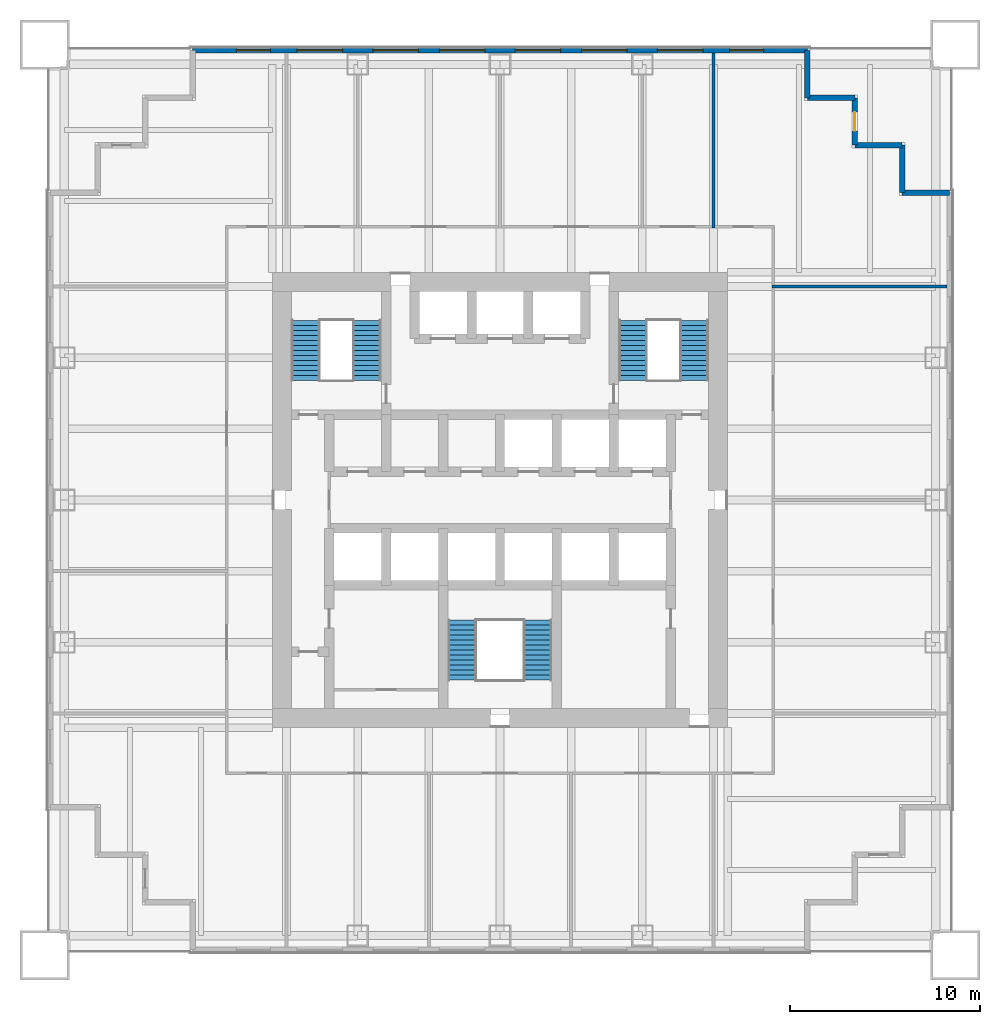
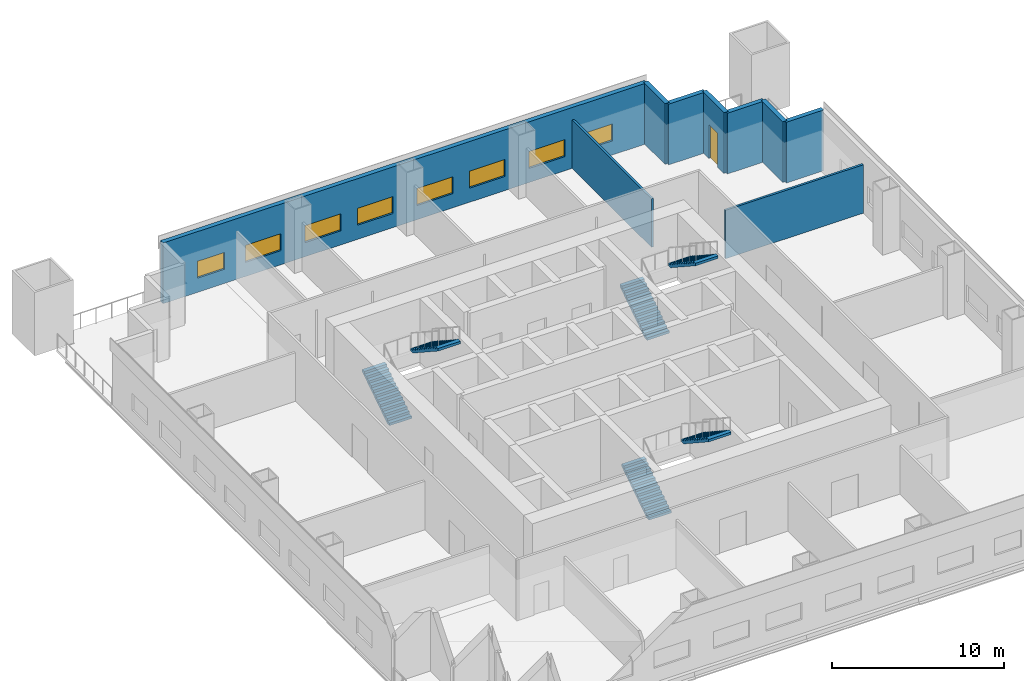
# One storey, part 5 of 6: 9 walls, 8 windows, 6 stair flights, 1 door, 9 openings, 3 elements without a shape of their own.
"""IFC4 building model written with IfcOpenShell, lengths in metres."""

from ifc_helpers import new_model, si_unit, direction, frame, frame_2d, origin, place, context, subcontext, project, spatial, polyline, rectangle, outline, extrude, material, layer, layer_set, type_object, element, fill, aggregate, save


model = new_model("IFC4")

# Units and contexts
model_context = context("Model", 3, precision=1e-05, world=origin(), true_north=direction((0.0, 1.0)))
body_context = subcontext(model_context, "Body", "Model", "MODEL_VIEW")
ifc_project = project(units=[si_unit("LENGTHUNIT", "METRE"), si_unit("AREAUNIT", "SQUARE_METRE"), si_unit("VOLUMEUNIT", "CUBIC_METRE"), si_unit("PLANEANGLEUNIT", "RADIAN"), si_unit("MASSUNIT", "GRAM", prefix="KILO")], contexts=[model_context])

# Site, building, storey
site_placement = place(None, origin())
site = spatial("IfcSite", under=ifc_project, at=site_placement, CompositionType="ELEMENT")
building_placement = place(site_placement, origin())
building = spatial("IfcBuilding", under=site, at=building_placement, Name="Tarangal Relay Tower", CompositionType="ELEMENT")
storey_placement = place(building_placement, frame((0.0, 0.0, 108.89990234375)))
storey = spatial("IfcBuildingStorey", under=building, at=storey_placement, Name="L21", CompositionType="ELEMENT", Elevation=108.89990234375)

# Wall, openings, windows
ifc_material_1 = material(Name="Insulated precast concrete fc' 40 MPa", Category="concrete")
ifc_layer_1 = layer(ifc_material_1, 0.300048828125)
ifc_layer_set_1 = layer_set([ifc_layer_1], Name="Insulated precast concrete fc' 40 MPa")
wall_type_1 = type_object("IfcWallType", Name="Facade wall precast 300", PredefinedType="SOLIDWALL", material=ifc_layer_set_1)
wall_1_placement = place(storey_placement, frame((-16.199951171875, 23.699951171875, 0.0), z_axis=(0.0, 0.0, 1.0), x_axis=(1.0, 0.0, 0.0)))
wall_1 = element("IfcWall", 1, at=wall_1_placement, inside=storey, type_object=wall_type_1, Name="Facade wall N facade L21", PredefinedType="SOLIDWALL", context=body_context, shape_type="SweptSolid", body=[
    extrude(rectangle(XDim=32.39990234375, YDim=0.300048828125, at=frame_2d((16.199951171875, 0.0))), origin(), (0.0, 0.0, 1.0), 4.300048828125),
])
opening_1_placement = place(wall_1_placement, frame((2.300048828125, 0.0, 1.0)))
opening_1 = element("IfcOpeningElement", 2, at=opening_1_placement, cuts=wall_1, Name="Opening WN5", PredefinedType="OPENING", context=body_context, shape_type="SweptSolid", body=[
    extrude(rectangle(XDim=1.800048828125, YDim=1.199951171875, at=frame_2d((0.89990234375, 0.60009765625))), frame((0.0, 0.159912109375, 0.0), z_axis=(0.0, -1.0, 0.0), x_axis=(1.0, 0.0, 0.0)), (0.0, 0.0, 1.0), 0.320068359375),
])
opening_2_placement = place(wall_1_placement, frame((5.5, 0.0, 1.0)))
opening_2 = element("IfcOpeningElement", 3, at=opening_2_placement, cuts=wall_1, Name="Opening WN1", PredefinedType="OPENING", context=body_context, shape_type="SweptSolid", body=[
    extrude(rectangle(XDim=2.39990234375, YDim=1.199951171875, at=frame_2d((1.199951171875, 0.60009765625))), frame((0.0, 0.159912109375, 0.0), z_axis=(0.0, -1.0, 0.0), x_axis=(1.0, 0.0, 0.0)), (0.0, 0.0, 1.0), 0.320068359375),
])
opening_3_placement = place(wall_1_placement, frame((9.5, 0.0, 1.0)))
opening_3 = element("IfcOpeningElement", 4, at=opening_3_placement, cuts=wall_1, Name="Opening WN1", PredefinedType="OPENING", context=body_context, shape_type="SweptSolid", body=[
    extrude(rectangle(XDim=2.39990234375, YDim=1.199951171875, at=frame_2d((1.199951171875, 0.60009765625))), frame((0.0, 0.159912109375, 0.0), z_axis=(0.0, -1.0, 0.0), x_axis=(1.0, 0.0, 0.0)), (0.0, 0.0, 1.0), 0.320068359375),
])
opening_4_placement = place(wall_1_placement, frame((13.0, 0.0, 1.0)))
opening_4 = element("IfcOpeningElement", 5, at=opening_4_placement, cuts=wall_1, Name="Opening WN1", PredefinedType="OPENING", context=body_context, shape_type="SweptSolid", body=[
    extrude(rectangle(XDim=2.39990234375, YDim=1.199951171875, at=frame_2d((1.199951171875, 0.60009765625))), frame((0.0, 0.159912109375, 0.0), z_axis=(0.0, -1.0, 0.0), x_axis=(1.0, 0.0, 0.0)), (0.0, 0.0, 1.0), 0.320068359375),
])
opening_5_placement = place(wall_1_placement, frame((17.0, 0.0, 1.0)))
opening_5 = element("IfcOpeningElement", 6, at=opening_5_placement, cuts=wall_1, Name="Opening WN1", PredefinedType="OPENING", context=body_context, shape_type="SweptSolid", body=[
    extrude(rectangle(XDim=2.39990234375, YDim=1.199951171875, at=frame_2d((1.199951171875, 0.60009765625))), frame((0.0, 0.159912109375, 0.0), z_axis=(0.0, -1.0, 0.0), x_axis=(1.0, 0.0, 0.0)), (0.0, 0.0, 1.0), 0.320068359375),
])
opening_6_placement = place(wall_1_placement, frame((20.5, 0.0, 1.0)))
opening_6 = element("IfcOpeningElement", 7, at=opening_6_placement, cuts=wall_1, Name="Opening WN1", PredefinedType="OPENING", context=body_context, shape_type="SweptSolid", body=[
    extrude(rectangle(XDim=2.39990234375, YDim=1.199951171875, at=frame_2d((1.199951171875, 0.60009765625))), frame((0.0, 0.159912109375, 0.0), z_axis=(0.0, -1.0, 0.0), x_axis=(1.0, 0.0, 0.0)), (0.0, 0.0, 1.0), 0.320068359375),
])
opening_7_placement = place(wall_1_placement, frame((24.5, 0.0, 1.0)))
opening_7 = element("IfcOpeningElement", 8, at=opening_7_placement, cuts=wall_1, Name="Opening WN1", PredefinedType="OPENING", context=body_context, shape_type="SweptSolid", body=[
    extrude(rectangle(XDim=2.39990234375, YDim=1.199951171875, at=frame_2d((1.199951171875, 0.60009765625))), frame((0.0, 0.159912109375, 0.0), z_axis=(0.0, -1.0, 0.0), x_axis=(1.0, 0.0, 0.0)), (0.0, 0.0, 1.0), 0.320068359375),
])
opening_8_placement = place(wall_1_placement, frame((28.300048828125, 0.0, 1.0)))
opening_8 = element("IfcOpeningElement", 9, at=opening_8_placement, cuts=wall_1, Name="Opening WN5", PredefinedType="OPENING", context=body_context, shape_type="SweptSolid", body=[
    extrude(rectangle(XDim=1.800048828125, YDim=1.199951171875, at=frame_2d((0.89990234375, 0.60009765625))), frame((0.0, 0.159912109375, 0.0), z_axis=(0.0, -1.0, 0.0), x_axis=(1.0, 0.0, 0.0)), (0.0, 0.0, 1.0), 0.320068359375),
])
ifc_material_2 = material(Name="Dark tinted double glazing in black aluminium frame", Category="aluminium")
window_type_1 = type_object("IfcWindowType", Name="Ribbon window 1800 x 1200", PartitioningType="SINGLE_PANEL", PredefinedType="WINDOW", material=ifc_material_2)
window_1_placement = place(opening_1_placement, origin())
window_1 = element("IfcWindow", 10, at=window_1_placement, inside=storey, type_object=window_type_1, Name="Ribbon window WN5 N facade L21", OverallHeight=1.199951171875, OverallWidth=1.800048828125, PartitioningType="SINGLE_PANEL", PredefinedType="WINDOW", context=body_context, shape_type="SweptSolid", body=[
    extrude(rectangle(XDim=1.800048828125, YDim=1.199951171875, at=frame_2d((0.89990234375, 0.60009765625))), frame((0.0, 0.030029296875, 0.0), z_axis=(0.0, -1.0, 0.0), x_axis=(1.0, 0.0, 0.0)), (0.0, 0.0, 1.0), 0.06005859375),
])
fill(opening_1, window_1)
window_2_placement = place(opening_8_placement, origin())
window_2 = element("IfcWindow", 11, at=window_2_placement, inside=storey, type_object=window_type_1, Name="Ribbon window WN5 N facade L21", OverallHeight=1.199951171875, OverallWidth=1.800048828125, PartitioningType="SINGLE_PANEL", PredefinedType="WINDOW", context=body_context, shape_type="SweptSolid", body=[
    extrude(rectangle(XDim=1.800048828125, YDim=1.199951171875, at=frame_2d((0.89990234375, 0.60009765625))), frame((0.0, 0.030029296875, 0.0), z_axis=(0.0, -1.0, 0.0), x_axis=(1.0, 0.0, 0.0)), (0.0, 0.0, 1.0), 0.06005859375),
])
fill(opening_8, window_2)
window_type_2 = type_object("IfcWindowType", Name="Ribbon window 2400 x 1200", PartitioningType="SINGLE_PANEL", PredefinedType="WINDOW", material=ifc_material_2)
window_3_placement = place(opening_2_placement, origin())
window_3 = element("IfcWindow", 12, at=window_3_placement, inside=storey, type_object=window_type_2, Name="Ribbon window WN1 N facade L21", OverallHeight=1.199951171875, OverallWidth=2.39990234375, PartitioningType="SINGLE_PANEL", PredefinedType="WINDOW", context=body_context, shape_type="SweptSolid", body=[
    extrude(rectangle(XDim=2.39990234375, YDim=1.199951171875, at=frame_2d((1.199951171875, 0.60009765625))), frame((0.0, 0.030029296875, 0.0), z_axis=(0.0, -1.0, 0.0), x_axis=(1.0, 0.0, 0.0)), (0.0, 0.0, 1.0), 0.06005859375),
])
fill(opening_2, window_3)
window_4_placement = place(opening_3_placement, origin())
window_4 = element("IfcWindow", 13, at=window_4_placement, inside=storey, type_object=window_type_2, Name="Ribbon window WN1 N facade L21", OverallHeight=1.199951171875, OverallWidth=2.39990234375, PartitioningType="SINGLE_PANEL", PredefinedType="WINDOW", context=body_context, shape_type="SweptSolid", body=[
    extrude(rectangle(XDim=2.39990234375, YDim=1.199951171875, at=frame_2d((1.199951171875, 0.60009765625))), frame((0.0, 0.030029296875, 0.0), z_axis=(0.0, -1.0, 0.0), x_axis=(1.0, 0.0, 0.0)), (0.0, 0.0, 1.0), 0.06005859375),
])
fill(opening_3, window_4)
window_5_placement = place(opening_4_placement, origin())
window_5 = element("IfcWindow", 14, at=window_5_placement, inside=storey, type_object=window_type_2, Name="Ribbon window WN1 N facade L21", OverallHeight=1.199951171875, OverallWidth=2.39990234375, PartitioningType="SINGLE_PANEL", PredefinedType="WINDOW", context=body_context, shape_type="SweptSolid", body=[
    extrude(rectangle(XDim=2.39990234375, YDim=1.199951171875, at=frame_2d((1.199951171875, 0.60009765625))), frame((0.0, 0.030029296875, 0.0), z_axis=(0.0, -1.0, 0.0), x_axis=(1.0, 0.0, 0.0)), (0.0, 0.0, 1.0), 0.06005859375),
])
fill(opening_4, window_5)
window_6_placement = place(opening_5_placement, origin())
window_6 = element("IfcWindow", 15, at=window_6_placement, inside=storey, type_object=window_type_2, Name="Ribbon window WN1 N facade L21", OverallHeight=1.199951171875, OverallWidth=2.39990234375, PartitioningType="SINGLE_PANEL", PredefinedType="WINDOW", context=body_context, shape_type="SweptSolid", body=[
    extrude(rectangle(XDim=2.39990234375, YDim=1.199951171875, at=frame_2d((1.199951171875, 0.60009765625))), frame((0.0, 0.030029296875, 0.0), z_axis=(0.0, -1.0, 0.0), x_axis=(1.0, 0.0, 0.0)), (0.0, 0.0, 1.0), 0.06005859375),
])
fill(opening_5, window_6)
window_7_placement = place(opening_6_placement, origin())
window_7 = element("IfcWindow", 16, at=window_7_placement, inside=storey, type_object=window_type_2, Name="Ribbon window WN1 N facade L21", OverallHeight=1.199951171875, OverallWidth=2.39990234375, PartitioningType="SINGLE_PANEL", PredefinedType="WINDOW", context=body_context, shape_type="SweptSolid", body=[
    extrude(rectangle(XDim=2.39990234375, YDim=1.199951171875, at=frame_2d((1.199951171875, 0.60009765625))), frame((0.0, 0.030029296875, 0.0), z_axis=(0.0, -1.0, 0.0), x_axis=(1.0, 0.0, 0.0)), (0.0, 0.0, 1.0), 0.06005859375),
])
fill(opening_6, window_7)
window_8_placement = place(opening_7_placement, origin())
window_8 = element("IfcWindow", 17, at=window_8_placement, inside=storey, type_object=window_type_2, Name="Ribbon window WN1 N facade L21", OverallHeight=1.199951171875, OverallWidth=2.39990234375, PartitioningType="SINGLE_PANEL", PredefinedType="WINDOW", context=body_context, shape_type="SweptSolid", body=[
    extrude(rectangle(XDim=2.39990234375, YDim=1.199951171875, at=frame_2d((1.199951171875, 0.60009765625))), frame((0.0, 0.030029296875, 0.0), z_axis=(0.0, -1.0, 0.0), x_axis=(1.0, 0.0, 0.0)), (0.0, 0.0, 1.0), 0.06005859375),
])
fill(opening_7, window_8)

# Walls
for number, where, z_axis, x_axis, name in (
    (18, (16.199951171875, 23.699951171875, 0.0), (0.0, 0.0, 1.0), (0.0, -1.0, 0.0), "Facade wall N facade L21"),
    (19, (16.199951171875, 21.199951171875, 0.0), (0.0, 0.0, 1.0), (1.0, 0.0, 0.0), "Facade wall N facade L21"),
):
    element("IfcWall", number, at=place(storey_placement, frame(where, z_axis=z_axis, x_axis=x_axis)), inside=storey, type_object=wall_type_1, Name=name, PredefinedType="SOLIDWALL", context=body_context, shape_type="SweptSolid", body=[
        extrude(rectangle(XDim=2.5, YDim=0.300048828125, at=frame_2d((1.25, 0.0))), origin(), (0.0, 0.0, 1.0), 4.300048828125),
    ])

# Wall, opening, door
wall_2_placement = place(storey_placement, frame((18.699951171875, 21.199951171875, 0.0), z_axis=(0.0, 0.0, 1.0), x_axis=(0.0, -1.0, 0.0)))
wall_2 = element("IfcWall", 20, at=wall_2_placement, inside=storey, type_object=wall_type_1, Name="Facade wall N facade L21", PredefinedType="SOLIDWALL", context=body_context, shape_type="SweptSolid", body=[
    extrude(rectangle(XDim=2.5, YDim=0.300048828125, at=frame_2d((1.25, 0.0))), origin(), (0.0, 0.0, 1.0), 4.300048828125),
])
opening_9_placement = place(wall_2_placement, frame((0.75, 0.0, 0.0)))
opening_9 = element("IfcOpeningElement", 21, at=opening_9_placement, cuts=wall_2, Name="Opening TD1", PredefinedType="OPENING", context=body_context, shape_type="SweptSolid", body=[
    extrude(rectangle(XDim=1.0, YDim=2.39990234375, at=frame_2d((0.5, 1.199951171875))), frame((0.0, 0.159912109375, 0.0), z_axis=(0.0, -1.0, 0.0), x_axis=(1.0, 0.0, 0.0)), (0.0, 0.0, 1.0), 0.320068359375),
])
ifc_material_3 = material(Name="Aluminium glazed door", Category="aluminium")
door_type = type_object("IfcDoorType", Name="Terrace door 1000 x 2400", OperationType="SINGLE_SWING_RIGHT", PredefinedType="DOOR", material=ifc_material_3)
door_placement = place(opening_9_placement, origin())
door = element("IfcDoor", 22, at=door_placement, inside=storey, type_object=door_type, Name="Terrace door TD1 NE L21", OperationType="SINGLE_SWING_RIGHT", OverallHeight=2.39990234375, OverallWidth=1.0, PredefinedType="DOOR", context=body_context, shape_type="SweptSolid", body=[
    extrude(rectangle(XDim=1.0, YDim=2.39990234375, at=frame_2d((0.5, 1.199951171875))), frame((0.0, 0.02490234375, 0.0), z_axis=(0.0, -1.0, 0.0), x_axis=(1.0, 0.0, 0.0)), (0.0, 0.0, 1.0), 0.050048828125),
])
fill(opening_9, door)

# Walls
for number, where, z_axis, x_axis, name in (
    (23, (18.699951171875, 18.699951171875, 0.0), (0.0, 0.0, 1.0), (1.0, 0.0, 0.0), "Facade wall N facade L21"),
    (24, (21.199951171875, 18.699951171875, 0.0), (0.0, 0.0, 1.0), (0.0, -1.0, 0.0), "Facade wall N facade L21"),
    (25, (21.199951171875, 16.199951171875, 0.0), (0.0, 0.0, 1.0), (1.0, 0.0, 0.0), "Facade wall N facade L21"),
):
    element("IfcWall", number, at=place(storey_placement, frame(where, z_axis=z_axis, x_axis=x_axis)), inside=storey, type_object=wall_type_1, Name=name, PredefinedType="SOLIDWALL", context=body_context, shape_type="SweptSolid", body=[
        extrude(rectangle(XDim=2.5, YDim=0.300048828125, at=frame_2d((1.25, 0.0))), origin(), (0.0, 0.0, 1.0), 4.300048828125),
    ])
ifc_material_4 = material(Name="Gypsum board on steel studs", Category="steel")
ifc_layer_2 = layer(ifc_material_4, 0.14990234375)
ifc_layer_set_2 = layer_set([ifc_layer_2], Name="Partition 150")
wall_type_2 = type_object("IfcWallType", Name="Partition 150", PredefinedType="PARTITIONING", material=ifc_layer_set_2)
for number, where, z_axis, x_axis, name in (
    (26, (14.324951171875, 11.25, 0.0), (0.0, 0.0, 1.0), (1.0, 0.0, 0.0), "Partition PT1 L21"),
    (27, (11.25, 14.324951171875, 0.0), (0.0, 0.0, 1.0), (0.0, 1.0, 0.0), "Partition PT1 L21"),
):
    element("IfcWall", number, at=place(storey_placement, frame(where, z_axis=z_axis, x_axis=x_axis)), inside=storey, type_object=wall_type_2, Name=name, PredefinedType="PARTITIONING", context=body_context, shape_type="SweptSolid", body=[
        extrude(rectangle(XDim=9.22509765625, YDim=0.14990234375, at=frame_2d((4.612548828125, 0.0))), origin(), (0.0, 0.0, 1.0), 3.431396484375),
    ])

# Stair, stair flights
ifc_material_5 = material(Name="Steel ASTM A992 stair flight", Category="steel")
stair_type = type_object("IfcStairType", Name="Core stair 1500", PredefinedType="HALF_TURN_STAIR", material=ifc_material_5)
stair_1_placement = place(storey_placement, origin())
stair_1 = element("IfcStair", 28, at=stair_1_placement, inside=storey, type_object=stair_type, Name="Stair ST-A L21", PredefinedType="HALF_TURN_STAIR")
stair_flight_type = type_object("IfcStairFlightType", Name="Steel stair flight 1500, 13 risers 173 x 264", PredefinedType="STRAIGHT", material=ifc_material_5)
stair_flight_1_placement = place(storey_placement, frame((-10.25, 6.300048828125, 0.0), z_axis=(0.0, 0.0, 1.0), x_axis=(0.0, 1.0, 0.0)))
stair_flight_1 = element("IfcStairFlight", 29, at=stair_flight_1_placement, type_object=stair_flight_type, Name="ST-A flight 1", NumberOfRisers=13, NumberOfTreads=12, PredefinedType="STRAIGHT", RiserHeight=0.173076923, TreadLength=0.264, context=body_context, shape_type="SweptSolid", body=[
    extrude(outline(polyline([(0.0, 0.0), (0.0, 0.173095703125), (0.263916015625, 0.173095703125), (0.263916015625, 0.34619140625), (0.528076171875, 0.34619140625), (0.528076171875, 0.519287109375), (0.7919921875, 0.519287109375), (0.7919921875, 0.6923828125), (1.055908203125, 0.6923828125), (1.055908203125, 0.865478515625), (1.320068359375, 0.865478515625), (1.320068359375, 1.03857421875), (1.583984375, 1.03857421875), (1.583984375, 1.21142578125), (1.847900390625, 1.21142578125), (1.847900390625, 1.384521484375), (2.112060546875, 1.384521484375), (2.112060546875, 1.5576171875), (2.3759765625, 1.5576171875), (2.3759765625, 1.730712890625), (2.639892578125, 1.730712890625), (2.639892578125, 1.90380859375), (2.904052734375, 1.90380859375), (2.904052734375, 2.076904296875), (3.16796875, 2.076904296875), (3.16796875, 2.25), (3.16796875, 1.897705078125), (0.2734375, 0.0), (0.0, 0.0)])), frame((0.0, 0.75, 0.0), z_axis=(0.0, -1.0, 0.0), x_axis=(1.0, 0.0, 0.0)), (0.0, 0.0, 1.0), 1.5),
])
stair_flight_2_placement = place(storey_placement, frame((-7.0, 9.468017578125, 2.25), z_axis=(0.0, 0.0, 1.0), x_axis=(0.0, -1.0, 0.0)))
stair_flight_2 = element("IfcStairFlight", 30, at=stair_flight_2_placement, type_object=stair_flight_type, Name="ST-A flight 2", NumberOfRisers=13, NumberOfTreads=12, PredefinedType="STRAIGHT", RiserHeight=0.173076923, TreadLength=0.264, context=body_context, shape_type="SweptSolid", body=[
    extrude(outline(polyline([(0.0, 0.0), (0.0, 0.173095703125), (0.263916015625, 0.173095703125), (0.263916015625, 0.34619140625), (0.528076171875, 0.34619140625), (0.528076171875, 0.519287109375), (0.7919921875, 0.519287109375), (0.7919921875, 0.6923828125), (1.055908203125, 0.6923828125), (1.055908203125, 0.865478515625), (1.320068359375, 0.865478515625), (1.320068359375, 1.03857421875), (1.583984375, 1.03857421875), (1.583984375, 1.21142578125), (1.847900390625, 1.21142578125), (1.847900390625, 1.384521484375), (2.112060546875, 1.384521484375), (2.112060546875, 1.5576171875), (2.3759765625, 1.5576171875), (2.3759765625, 1.730712890625), (2.639892578125, 1.730712890625), (2.639892578125, 1.90380859375), (2.904052734375, 1.90380859375), (2.904052734375, 2.076904296875), (3.16796875, 2.076904296875), (3.16796875, 2.25), (3.16796875, 1.897705078125), (0.2734375, 0.0), (0.0, 0.0)])), frame((0.0, 0.75, 0.0), z_axis=(0.0, -1.0, 0.0), x_axis=(1.0, 0.0, 0.0)), (0.0, 0.0, 1.0), 1.5),
])
aggregate(stair_1, [stair_flight_1, stair_flight_2])

stair_2_placement = place(storey_placement, origin())
stair_2 = element("IfcStair", 31, at=stair_2_placement, inside=storey, type_object=stair_type, Name="Stair ST-B L21", PredefinedType="HALF_TURN_STAIR")
stair_flight_3_placement = place(storey_placement, frame((7.0, 6.300048828125, 0.0), z_axis=(0.0, 0.0, 1.0), x_axis=(0.0, 1.0, 0.0)))
stair_flight_3 = element("IfcStairFlight", 32, at=stair_flight_3_placement, type_object=stair_flight_type, Name="ST-B flight 1", NumberOfRisers=13, NumberOfTreads=12, PredefinedType="STRAIGHT", RiserHeight=0.173076923, TreadLength=0.264, context=body_context, shape_type="SweptSolid", body=[
    extrude(outline(polyline([(0.0, 0.0), (0.0, 0.173095703125), (0.263916015625, 0.173095703125), (0.263916015625, 0.34619140625), (0.528076171875, 0.34619140625), (0.528076171875, 0.519287109375), (0.7919921875, 0.519287109375), (0.7919921875, 0.6923828125), (1.055908203125, 0.6923828125), (1.055908203125, 0.865478515625), (1.320068359375, 0.865478515625), (1.320068359375, 1.03857421875), (1.583984375, 1.03857421875), (1.583984375, 1.21142578125), (1.847900390625, 1.21142578125), (1.847900390625, 1.384521484375), (2.112060546875, 1.384521484375), (2.112060546875, 1.5576171875), (2.3759765625, 1.5576171875), (2.3759765625, 1.730712890625), (2.639892578125, 1.730712890625), (2.639892578125, 1.90380859375), (2.904052734375, 1.90380859375), (2.904052734375, 2.076904296875), (3.16796875, 2.076904296875), (3.16796875, 2.25), (3.16796875, 1.897705078125), (0.2734375, 0.0), (0.0, 0.0)])), frame((0.0, 0.75, 0.0), z_axis=(0.0, -1.0, 0.0), x_axis=(1.0, 0.0, 0.0)), (0.0, 0.0, 1.0), 1.5),
])
stair_flight_4_placement = place(storey_placement, frame((10.25, 9.468017578125, 2.25), z_axis=(0.0, 0.0, 1.0), x_axis=(0.0, -1.0, 0.0)))
stair_flight_4 = element("IfcStairFlight", 33, at=stair_flight_4_placement, type_object=stair_flight_type, Name="ST-B flight 2", NumberOfRisers=13, NumberOfTreads=12, PredefinedType="STRAIGHT", RiserHeight=0.173076923, TreadLength=0.264, context=body_context, shape_type="SweptSolid", body=[
    extrude(outline(polyline([(0.0, 0.0), (0.0, 0.173095703125), (0.263916015625, 0.173095703125), (0.263916015625, 0.34619140625), (0.528076171875, 0.34619140625), (0.528076171875, 0.519287109375), (0.7919921875, 0.519287109375), (0.7919921875, 0.6923828125), (1.055908203125, 0.6923828125), (1.055908203125, 0.865478515625), (1.320068359375, 0.865478515625), (1.320068359375, 1.03857421875), (1.583984375, 1.03857421875), (1.583984375, 1.21142578125), (1.847900390625, 1.21142578125), (1.847900390625, 1.384521484375), (2.112060546875, 1.384521484375), (2.112060546875, 1.5576171875), (2.3759765625, 1.5576171875), (2.3759765625, 1.730712890625), (2.639892578125, 1.730712890625), (2.639892578125, 1.90380859375), (2.904052734375, 1.90380859375), (2.904052734375, 2.076904296875), (3.16796875, 2.076904296875), (3.16796875, 2.25), (3.16796875, 1.897705078125), (0.2734375, 0.0), (0.0, 0.0)])), frame((0.0, 0.75, 0.0), z_axis=(0.0, -1.0, 0.0), x_axis=(1.0, 0.0, 0.0)), (0.0, 0.0, 1.0), 1.5),
])
aggregate(stair_2, [stair_flight_3, stair_flight_4])

stair_3_placement = place(storey_placement, origin())
stair_3 = element("IfcStair", 34, at=stair_3_placement, inside=storey, type_object=stair_type, Name="Stair ST-C L21", PredefinedType="HALF_TURN_STAIR")
stair_flight_5_placement = place(storey_placement, frame((-2.0, -9.5, 0.0), z_axis=(0.0, 0.0, 1.0), x_axis=(0.0, 1.0, 0.0)))
stair_flight_5 = element("IfcStairFlight", 35, at=stair_flight_5_placement, type_object=stair_flight_type, Name="ST-C flight 1", NumberOfRisers=13, NumberOfTreads=12, PredefinedType="STRAIGHT", RiserHeight=0.173076923, TreadLength=0.264, context=body_context, shape_type="SweptSolid", body=[
    extrude(outline(polyline([(0.0, 0.0), (0.0, 0.173095703125), (0.263916015625, 0.173095703125), (0.263916015625, 0.34619140625), (0.528076171875, 0.34619140625), (0.528076171875, 0.519287109375), (0.7919921875, 0.519287109375), (0.7919921875, 0.6923828125), (1.055908203125, 0.6923828125), (1.055908203125, 0.865478515625), (1.320068359375, 0.865478515625), (1.320068359375, 1.03857421875), (1.583984375, 1.03857421875), (1.583984375, 1.21142578125), (1.847900390625, 1.21142578125), (1.847900390625, 1.384521484375), (2.112060546875, 1.384521484375), (2.112060546875, 1.5576171875), (2.3759765625, 1.5576171875), (2.3759765625, 1.730712890625), (2.639892578125, 1.730712890625), (2.639892578125, 1.90380859375), (2.904052734375, 1.90380859375), (2.904052734375, 2.076904296875), (3.16796875, 2.076904296875), (3.16796875, 2.25), (3.16796875, 1.897705078125), (0.2734375, 0.0), (0.0, 0.0)])), frame((0.0, 0.75, 0.0), z_axis=(0.0, -1.0, 0.0), x_axis=(1.0, 0.0, 0.0)), (0.0, 0.0, 1.0), 1.5),
])
stair_flight_6_placement = place(storey_placement, frame((2.0, -6.33203125, 2.25), z_axis=(0.0, 0.0, 1.0), x_axis=(0.0, -1.0, 0.0)))
stair_flight_6 = element("IfcStairFlight", 36, at=stair_flight_6_placement, type_object=stair_flight_type, Name="ST-C flight 2", NumberOfRisers=13, NumberOfTreads=12, PredefinedType="STRAIGHT", RiserHeight=0.173076923, TreadLength=0.264, context=body_context, shape_type="SweptSolid", body=[
    extrude(outline(polyline([(0.0, 0.0), (0.0, 0.173095703125), (0.263916015625, 0.173095703125), (0.263916015625, 0.34619140625), (0.528076171875, 0.34619140625), (0.528076171875, 0.519287109375), (0.7919921875, 0.519287109375), (0.7919921875, 0.6923828125), (1.055908203125, 0.6923828125), (1.055908203125, 0.865478515625), (1.320068359375, 0.865478515625), (1.320068359375, 1.03857421875), (1.583984375, 1.03857421875), (1.583984375, 1.21142578125), (1.847900390625, 1.21142578125), (1.847900390625, 1.384521484375), (2.112060546875, 1.384521484375), (2.112060546875, 1.5576171875), (2.3759765625, 1.5576171875), (2.3759765625, 1.730712890625), (2.639892578125, 1.730712890625), (2.639892578125, 1.90380859375), (2.904052734375, 1.90380859375), (2.904052734375, 2.076904296875), (3.16796875, 2.076904296875), (3.16796875, 2.25), (3.16796875, 1.897705078125), (0.2734375, 0.0), (0.0, 0.0)])), frame((0.0, 0.75, 0.0), z_axis=(0.0, -1.0, 0.0), x_axis=(1.0, 0.0, 0.0)), (0.0, 0.0, 1.0), 1.5),
])
aggregate(stair_3, [stair_flight_5, stair_flight_6])

save(model, "model.ifc")
